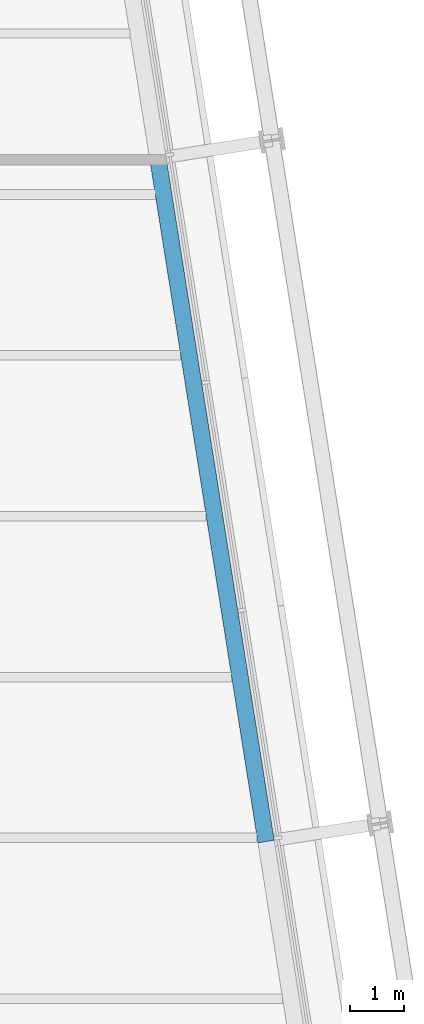
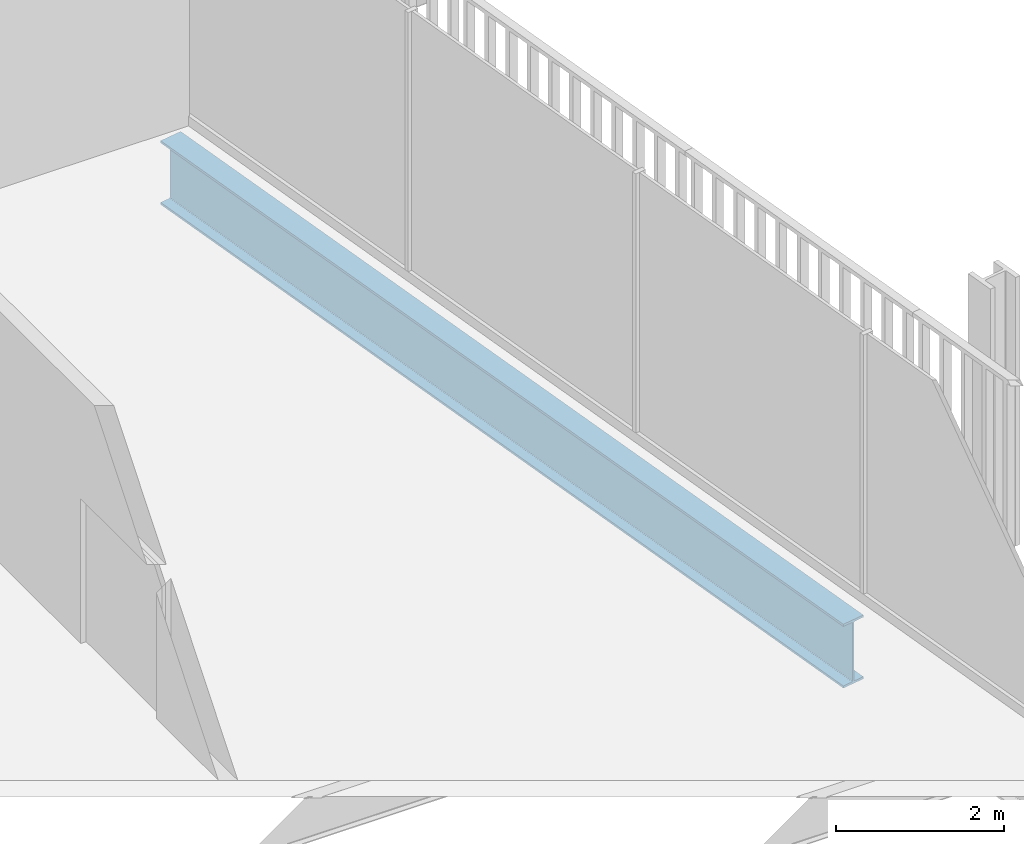
# One storey, part 9 of 22: 1 beam.
"""IFC4 building model written with IfcOpenShell, lengths in metres."""

from ifc_helpers import new_model, si_unit, direction, frame, origin, origin_2d, place, context, subcontext, project, spatial, i_section, extrude, material, material_profile, profile_set, type_object, element, save


model = new_model("IFC4")

# Units and contexts
model_context = context("Model", 3, precision=1e-05, world=origin(), true_north=direction((0.0, 1.0)))
body_context = subcontext(model_context, "Body", "Model", "MODEL_VIEW")
ifc_project = project(units=[si_unit("LENGTHUNIT", "METRE"), si_unit("AREAUNIT", "SQUARE_METRE"), si_unit("VOLUMEUNIT", "CUBIC_METRE"), si_unit("PLANEANGLEUNIT", "RADIAN"), si_unit("MASSUNIT", "GRAM", prefix="KILO")], contexts=[model_context])

# Site, building, storey
site_placement = place(None, origin())
site = spatial("IfcSite", under=ifc_project, at=site_placement, CompositionType="ELEMENT")
building_placement = place(site_placement, origin())
building = spatial("IfcBuilding", under=site, at=building_placement, Name="Millrace Tower", CompositionType="ELEMENT")
storey_placement = place(building_placement, frame((0.0, 0.0, 168.5)))
storey = spatial("IfcBuildingStorey", under=building, at=storey_placement, Name="L38", CompositionType="ELEMENT", Elevation=168.5)

# Beam
ifc_material = material(Name="Steel ASTM A992 Grade 50", Category="steel")
ifc_material_profile = material_profile(ifc_material, i_section(OverallWidth=0.307373046875, OverallDepth=0.927001953125, WebThickness=0.01953125, FlangeThickness=0.031982421875, FilletRadius=0.01904296875, at=origin_2d()))
ifc_profile_set = profile_set([ifc_material_profile], Name="Steel ASTM A992 Grade 50")
beam_type = type_object("IfcBeamType", Name="Ring beam medium span W36x194", PredefinedType="SPANDREL", material=ifc_profile_set)
beam_placement = place(storey_placement, frame((23.25, 9.6728515625, -0.62353515625), z_axis=(0.15642030113, -0.987690583834, 0.0), x_axis=(0.987690583834, 0.15642030113, 0.0)))
element("IfcBeam", 1, at=beam_placement, inside=storey, type_object=beam_type, Name="RNG-C-L38-S1-10", PredefinedType="SPANDREL", context=body_context, shape_type="SweptSolid", body=[
    extrude(i_section(OverallWidth=0.307373046875, OverallDepth=0.927001953125, WebThickness=0.01953125, FlangeThickness=0.031982421875, FilletRadius=0.01904296875, at=origin_2d()), origin(), (0.0, 0.0, 1.0), 12.89990234375),
])

save(model, "model.ifc")
